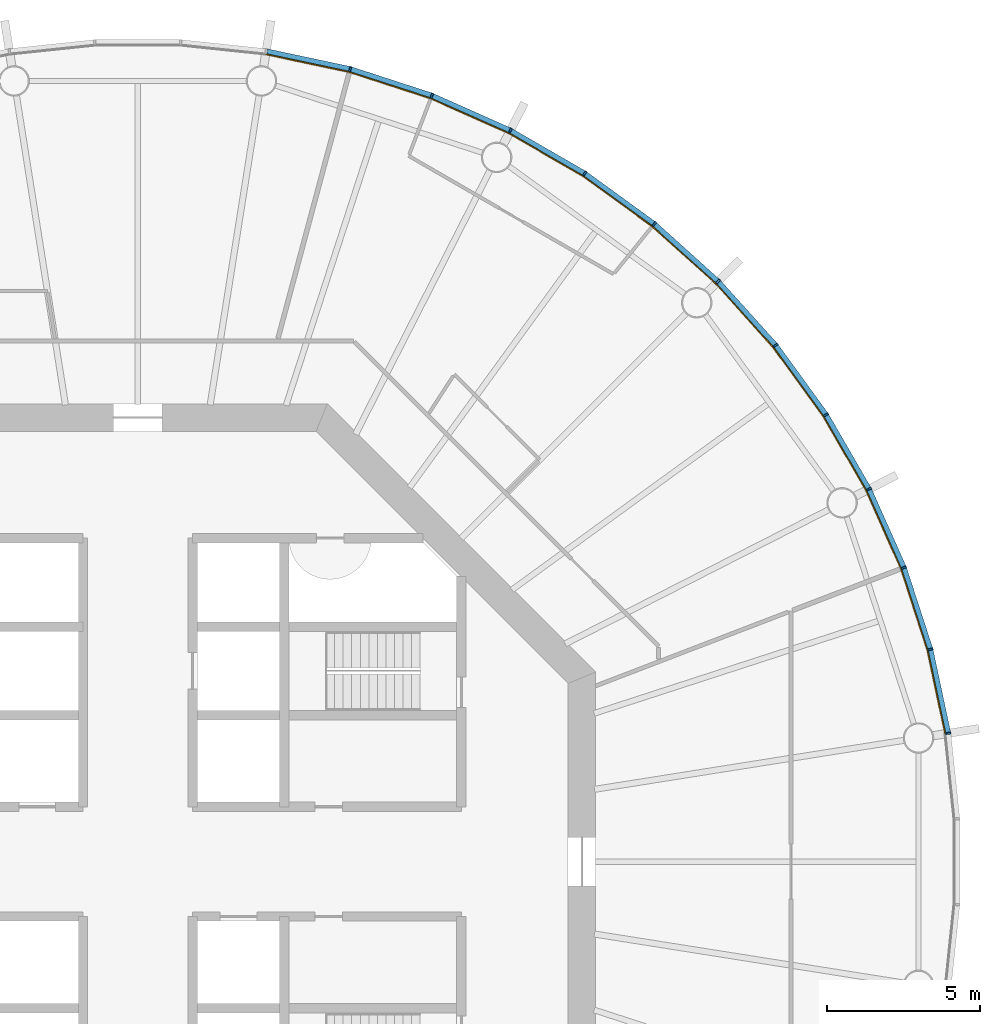
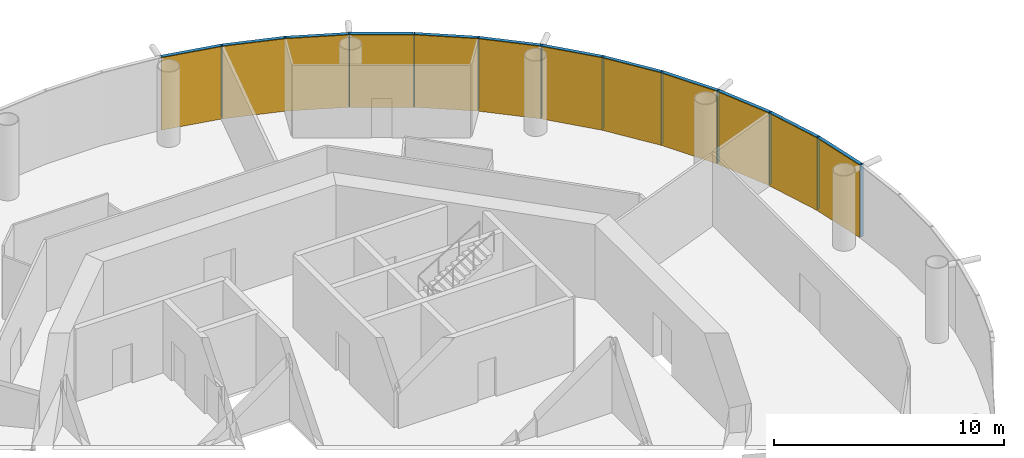
# One storey, part 11 of 12: 24 members, 4 curtain walls.
"""IFC4 building model written with IfcOpenShell, lengths in metres."""

from ifc_helpers import new_model, si_unit, direction, frame, origin, origin_2d, place, context, subcontext, project, spatial, polyline, rectangle, outline, extrude, material, layer, layer_set, material_profile, profile_set, type_object, element, aggregate, save


model = new_model("IFC4")

# Units and contexts
model_context = context("Model", 3, precision=1e-05, world=origin(), true_north=direction((0.0, 1.0)))
body_context = subcontext(model_context, "Body", "Model", "MODEL_VIEW")
ifc_project = project(units=[si_unit("LENGTHUNIT", "METRE"), si_unit("AREAUNIT", "SQUARE_METRE"), si_unit("VOLUMEUNIT", "CUBIC_METRE"), si_unit("PLANEANGLEUNIT", "RADIAN"), si_unit("MASSUNIT", "GRAM", prefix="KILO")], contexts=[model_context])

# Member
ifc_material_1 = material(Name="Anodised aluminium", Category="aluminium")
ifc_material_profile_1 = material_profile(ifc_material_1, rectangle(XDim=0.06005859375, YDim=0.169921875, at=origin_2d()), Name="Mullion 60 x 170 mm anodised aluminium")
ifc_profile_set_1 = profile_set([ifc_material_profile_1], Name="Anodised aluminium")
member_type_1 = type_object("IfcMemberType", Name="Mullion 60 x 170 mm anodised aluminium", PredefinedType="MULLION", material=ifc_profile_set_1)
site_placement = place(None, origin())
building_placement = place(site_placement, origin())
storey_placement = place(building_placement, frame((0.0, 0.0, 214.0)))
member_1_placement = place(storey_placement, frame((116.553955078125, 84.205810546875, 0.0), z_axis=(0.0, 0.0, 1.0), x_axis=(-0.15643446504, 0.987688340595, 0.0)))
member_1 = element("IfcMember", 1, at=member_1_placement, type_object=member_type_1, Name="MULLION L49-00", PredefinedType="MULLION", context=body_context, shape_type="SweptSolid", body=[
    extrude(rectangle(XDim=0.06005859375, YDim=0.169921875, at=origin_2d()), origin(), (0.0, 0.0, 1.0), 3.85009765625),
])

member_2_placement = place(storey_placement, frame((115.968994140625, 86.958251953125, 0.0), z_axis=(0.0, 0.0, 1.0), x_axis=(-0.258819045103, 0.965925826289, 0.0)))
member_2 = element("IfcMember", 2, at=member_2_placement, type_object=member_type_1, Name="MULLION L49-01", PredefinedType="MULLION", context=body_context, shape_type="SweptSolid", body=[
    extrude(rectangle(XDim=0.06005859375, YDim=0.169921875, at=origin_2d()), origin(), (0.0, 0.0, 1.0), 3.85009765625),
])

member_3_placement = place(storey_placement, frame((115.099365234375, 89.634765625, 0.0), z_axis=(0.0, 0.0, 1.0), x_axis=(-0.358367949545, 0.933580426497, 0.0)))
member_3 = element("IfcMember", 3, at=member_3_placement, type_object=member_type_1, Name="MULLION L49-02", PredefinedType="MULLION", context=body_context, shape_type="SweptSolid", body=[
    extrude(rectangle(XDim=0.06005859375, YDim=0.169921875, at=origin_2d()), origin(), (0.0, 0.0, 1.0), 3.85009765625),
])

member_4_placement = place(storey_placement, frame((113.95458984375, 92.20556640625, 0.0), z_axis=(0.0, 0.0, 1.0), x_axis=(-0.45399049974, 0.891006524188, 0.0)))
member_4 = element("IfcMember", 4, at=member_4_placement, type_object=member_type_1, Name="MULLION L49-03", PredefinedType="MULLION", context=body_context, shape_type="SweptSolid", body=[
    extrude(rectangle(XDim=0.06005859375, YDim=0.169921875, at=origin_2d()), origin(), (0.0, 0.0, 1.0), 3.85009765625),
])

member_5_placement = place(storey_placement, frame((112.547607421875, 94.642578125, 0.0), z_axis=(0.0, 0.0, 1.0), x_axis=(-0.544639035015, 0.838670567945, 0.0)))
member_5 = element("IfcMember", 5, at=member_5_placement, type_object=member_type_1, Name="MULLION L49-04", PredefinedType="MULLION", context=body_context, shape_type="SweptSolid", body=[
    extrude(rectangle(XDim=0.06005859375, YDim=0.169921875, at=origin_2d()), origin(), (0.0, 0.0, 1.0), 3.85009765625),
])

member_6_placement = place(storey_placement, frame((110.8935546875, 96.919189453125, 0.0), z_axis=(0.0, 0.0, 1.0), x_axis=(-0.62932039105, 0.777145961457, 0.0)))
member_6 = element("IfcMember", 6, at=member_6_placement, type_object=member_type_1, Name="MULLION L49-05", PredefinedType="MULLION", context=body_context, shape_type="SweptSolid", body=[
    extrude(rectangle(XDim=0.06005859375, YDim=0.169921875, at=origin_2d()), origin(), (0.0, 0.0, 1.0), 3.85009765625),
])

member_7_placement = place(storey_placement, frame((109.010498046875, 99.010498046875, 0.0), z_axis=(0.0, 0.0, 1.0), x_axis=(-0.707106781187, 0.707106781187, 0.0)))
member_7 = element("IfcMember", 7, at=member_7_placement, type_object=member_type_1, Name="MULLION L49-06", PredefinedType="MULLION", context=body_context, shape_type="SweptSolid", body=[
    extrude(rectangle(XDim=0.06005859375, YDim=0.169921875, at=origin_2d()), origin(), (0.0, 0.0, 1.0), 3.85009765625),
])

member_8_placement = place(storey_placement, frame((106.919189453125, 100.8935546875, 0.0), z_axis=(0.0, 0.0, 1.0), x_axis=(-0.777145961457, 0.62932039105, 0.0)))
member_8 = element("IfcMember", 8, at=member_8_placement, type_object=member_type_1, Name="MULLION L49-07", PredefinedType="MULLION", context=body_context, shape_type="SweptSolid", body=[
    extrude(rectangle(XDim=0.06005859375, YDim=0.169921875, at=origin_2d()), origin(), (0.0, 0.0, 1.0), 3.85009765625),
])

member_9_placement = place(storey_placement, frame((104.642578125, 102.547607421875, 0.0), z_axis=(0.0, 0.0, 1.0), x_axis=(-0.838670567945, 0.544639035015, 0.0)))
member_9 = element("IfcMember", 9, at=member_9_placement, type_object=member_type_1, Name="MULLION L49-08", PredefinedType="MULLION", context=body_context, shape_type="SweptSolid", body=[
    extrude(rectangle(XDim=0.06005859375, YDim=0.169921875, at=origin_2d()), origin(), (0.0, 0.0, 1.0), 3.85009765625),
])

member_10_placement = place(storey_placement, frame((102.20556640625, 103.95458984375, 0.0), z_axis=(0.0, 0.0, 1.0), x_axis=(-0.891006524188, 0.45399049974, 0.0)))
member_10 = element("IfcMember", 10, at=member_10_placement, type_object=member_type_1, Name="MULLION L49-09", PredefinedType="MULLION", context=body_context, shape_type="SweptSolid", body=[
    extrude(rectangle(XDim=0.06005859375, YDim=0.169921875, at=origin_2d()), origin(), (0.0, 0.0, 1.0), 3.85009765625),
])

member_11_placement = place(storey_placement, frame((99.634765625, 105.099365234375, 0.0), z_axis=(0.0, 0.0, 1.0), x_axis=(-0.933580426497, 0.358367949545, 0.0)))
member_11 = element("IfcMember", 11, at=member_11_placement, type_object=member_type_1, Name="MULLION L49-10", PredefinedType="MULLION", context=body_context, shape_type="SweptSolid", body=[
    extrude(rectangle(XDim=0.06005859375, YDim=0.169921875, at=origin_2d()), origin(), (0.0, 0.0, 1.0), 3.85009765625),
])

member_12_placement = place(storey_placement, frame((96.958251953125, 105.968994140625, 0.0), z_axis=(0.0, 0.0, 1.0), x_axis=(-0.965925826289, 0.258819045103, 0.0)))
member_12 = element("IfcMember", 12, at=member_12_placement, type_object=member_type_1, Name="MULLION L49-11", PredefinedType="MULLION", context=body_context, shape_type="SweptSolid", body=[
    extrude(rectangle(XDim=0.06005859375, YDim=0.169921875, at=origin_2d()), origin(), (0.0, 0.0, 1.0), 3.85009765625),
])

ifc_material_2 = material(Name="Anodised aluminium", Category="aluminium")
ifc_material_profile_2 = material_profile(ifc_material_2, rectangle(XDim=0.169921875, YDim=0.1650390625, at=origin_2d()), Name="Transom 165 x 170 mm anodised aluminium")
ifc_profile_set_2 = profile_set([ifc_material_profile_2], Name="Anodised aluminium")
member_type_2 = type_object("IfcMemberType", Name="Transom 165 x 170 mm anodised aluminium", PredefinedType="USERDEFINED", material=ifc_profile_set_2)
member_13_placement = place(storey_placement, frame((116.546875, 84.239501953125, 3.767578125), z_axis=(-0.207937468562, 0.97814212115, 0.0), x_axis=(-0.97814212115, -0.207937468562, 0.0)))
member_13 = element("IfcMember", 13, at=member_13_placement, type_object=member_type_2, Name="TRANSOM L49-00", ObjectType="TRANSOM", PredefinedType="USERDEFINED", context=body_context, shape_type="SweptSolid", body=[
    extrude(rectangle(XDim=0.169921875, YDim=0.1650390625, at=origin_2d()), origin(), (0.0, 0.0, 1.0), 2.7451171875),
])

member_14_placement = place(storey_placement, frame((115.95849609375, 86.9912109375, 3.767578125), z_axis=(-0.309041831781, 0.951048445774, 0.0), x_axis=(-0.951048445774, -0.309041831781, 0.0)))
member_14 = element("IfcMember", 14, at=member_14_placement, type_object=member_type_2, Name="TRANSOM L49-01", ObjectType="TRANSOM", PredefinedType="USERDEFINED", context=body_context, shape_type="SweptSolid", body=[
    extrude(rectangle(XDim=0.169921875, YDim=0.1650390625, at=origin_2d()), origin(), (0.0, 0.0, 1.0), 2.7451171875),
])

member_15_placement = place(storey_placement, frame((115.08544921875, 89.666259765625, 3.767578125), z_axis=(-0.406781987391, 0.913525267704, 0.0), x_axis=(-0.913525267704, -0.406781987391, 0.0)))
member_15 = element("IfcMember", 15, at=member_15_placement, type_object=member_type_2, Name="TRANSOM L49-02", ObjectType="TRANSOM", PredefinedType="USERDEFINED", context=body_context, shape_type="SweptSolid", body=[
    extrude(rectangle(XDim=0.169921875, YDim=0.1650390625, at=origin_2d()), origin(), (0.0, 0.0, 1.0), 2.7451171875),
])

member_16_placement = place(storey_placement, frame((113.9375, 92.2353515625, 3.767578125), z_axis=(-0.49998419723, 0.866034527326, 0.0), x_axis=(-0.866034527326, -0.49998419723, 0.0)))
member_16 = element("IfcMember", 16, at=member_16_placement, type_object=member_type_2, Name="TRANSOM L49-03", ObjectType="TRANSOM", PredefinedType="USERDEFINED", context=body_context, shape_type="SweptSolid", body=[
    extrude(rectangle(XDim=0.169921875, YDim=0.1650390625, at=origin_2d()), origin(), (0.0, 0.0, 1.0), 2.7451171875),
])

member_17_placement = place(storey_placement, frame((112.527587890625, 94.670654296875, 3.767578125), z_axis=(-0.587864947412, 0.808959086484, 0.0), x_axis=(-0.808959086484, -0.587864947412, 0.0)))
member_17 = element("IfcMember", 17, at=member_17_placement, type_object=member_type_2, Name="TRANSOM L49-04", ObjectType="TRANSOM", PredefinedType="USERDEFINED", context=body_context, shape_type="SweptSolid", body=[
    extrude(rectangle(XDim=0.169921875, YDim=0.1650390625, at=origin_2d()), origin(), (0.0, 0.0, 1.0), 2.7451171875),
])

member_18_placement = place(storey_placement, frame((110.87060546875, 96.945068359375, 3.767578125), z_axis=(-0.669141598561, 0.743134927907, 0.0), x_axis=(-0.743134927907, -0.669141598561, 0.0)))
member_18 = element("IfcMember", 18, at=member_18_placement, type_object=member_type_2, Name="TRANSOM L49-05", ObjectType="TRANSOM", PredefinedType="USERDEFINED", context=body_context, shape_type="SweptSolid", body=[
    extrude(rectangle(XDim=0.169921875, YDim=0.1650390625, at=origin_2d()), origin(), (0.0, 0.0, 1.0), 2.7451171875),
])

member_19_placement = place(storey_placement, frame((108.985107421875, 99.03369140625, 3.767578125), z_axis=(-0.743134927907, 0.669141598561, 0.0), x_axis=(-0.669141598561, -0.743134927907, 0.0)))
member_19 = element("IfcMember", 19, at=member_19_placement, type_object=member_type_2, Name="TRANSOM L49-06", ObjectType="TRANSOM", PredefinedType="USERDEFINED", context=body_context, shape_type="SweptSolid", body=[
    extrude(rectangle(XDim=0.169921875, YDim=0.1650390625, at=origin_2d()), origin(), (0.0, 0.0, 1.0), 2.7451171875),
])

member_20_placement = place(storey_placement, frame((106.891357421875, 100.913818359375, 3.767578125), z_axis=(-0.808959086484, 0.587864947412, 0.0), x_axis=(-0.587864947412, -0.808959086484, 0.0)))
member_20 = element("IfcMember", 20, at=member_20_placement, type_object=member_type_2, Name="TRANSOM L49-07", ObjectType="TRANSOM", PredefinedType="USERDEFINED", context=body_context, shape_type="SweptSolid", body=[
    extrude(rectangle(XDim=0.169921875, YDim=0.1650390625, at=origin_2d()), origin(), (0.0, 0.0, 1.0), 2.7451171875),
])

member_21_placement = place(storey_placement, frame((104.61279296875, 102.56494140625, 3.767578125), z_axis=(-0.866034527326, 0.49998419723, 0.0), x_axis=(-0.49998419723, -0.866034527326, 0.0)))
member_21 = element("IfcMember", 21, at=member_21_placement, type_object=member_type_2, Name="TRANSOM L49-08", ObjectType="TRANSOM", PredefinedType="USERDEFINED", context=body_context, shape_type="SweptSolid", body=[
    extrude(rectangle(XDim=0.169921875, YDim=0.1650390625, at=origin_2d()), origin(), (0.0, 0.0, 1.0), 2.7451171875),
])

member_22_placement = place(storey_placement, frame((102.174072265625, 103.96875, 3.767578125), z_axis=(-0.913525267704, 0.406781987391, 0.0), x_axis=(-0.406781987391, -0.913525267704, 0.0)))
member_22 = element("IfcMember", 22, at=member_22_placement, type_object=member_type_2, Name="TRANSOM L49-09", ObjectType="TRANSOM", PredefinedType="USERDEFINED", context=body_context, shape_type="SweptSolid", body=[
    extrude(rectangle(XDim=0.169921875, YDim=0.1650390625, at=origin_2d()), origin(), (0.0, 0.0, 1.0), 2.7451171875),
])

member_23_placement = place(storey_placement, frame((99.60205078125, 105.110107421875, 3.767578125), z_axis=(-0.951048445774, 0.309041831781, 0.0), x_axis=(-0.309041831781, -0.951048445774, 0.0)))
member_23 = element("IfcMember", 23, at=member_23_placement, type_object=member_type_2, Name="TRANSOM L49-10", ObjectType="TRANSOM", PredefinedType="USERDEFINED", context=body_context, shape_type="SweptSolid", body=[
    extrude(rectangle(XDim=0.169921875, YDim=0.1650390625, at=origin_2d()), origin(), (0.0, 0.0, 1.0), 2.7451171875),
])

member_24_placement = place(storey_placement, frame((96.924560546875, 105.97607421875, 3.767578125), z_axis=(-0.97814212115, 0.207937468562, 0.0), x_axis=(-0.207937468562, -0.97814212115, 0.0)))
member_24 = element("IfcMember", 24, at=member_24_placement, type_object=member_type_2, Name="TRANSOM L49-11", ObjectType="TRANSOM", PredefinedType="USERDEFINED", context=body_context, shape_type="SweptSolid", body=[
    extrude(rectangle(XDim=0.169921875, YDim=0.1650390625, at=origin_2d()), origin(), (0.0, 0.0, 1.0), 2.7451171875),
])

# Site, building, storey
site = spatial("IfcSite", under=ifc_project, at=site_placement, CompositionType="ELEMENT")
building = spatial("IfcBuilding", under=site, at=building_placement, Name="Entoto Ring Tower", CompositionType="ELEMENT")
storey = spatial("IfcBuildingStorey", under=building, at=storey_placement, Name="L49", CompositionType="ELEMENT", Elevation=214.0)

# Curtain wall
ifc_material_3 = material(Name="Clear low-iron glass", Category="glass")
ifc_layer = layer(ifc_material_3, 0.031982421875)
ifc_layer_set = layer_set([ifc_layer], Name="Clear low-iron glass")
curtain_wall_type = type_object("IfcCurtainWallType", Name="Curtain wall system CW4 glazing 32 mm", PredefinedType="NOTDEFINED", material=ifc_layer_set)
curtain_wall_1_placement = place(storey_placement, origin())
curtain_wall_1 = element("IfcCurtainWall", 25, at=curtain_wall_1_placement, inside=storey, type_object=curtain_wall_type, Name="CW4 L49-01", PredefinedType="NOTDEFINED", context=body_context, shape_type="SweptSolid", body=[
    extrude(outline(polyline([(116.469970703125, 84.1923828125), (115.88671875, 86.936279296875), (115.02001953125, 89.604248046875), (113.87890625, 92.1669921875), (113.850341796875, 92.15234375), (114.989990234375, 89.5927734375), (115.85595703125, 86.927978515625), (116.4384765625, 84.1875), (116.469970703125, 84.1923828125)])), origin(), (0.0, 0.0, 1.0), 3.85009765625),
])

aggregate(curtain_wall_1, [member_1, member_2, member_3, member_13, member_14, member_15])

curtain_wall_2_placement = place(storey_placement, origin())
curtain_wall_2 = element("IfcCurtainWall", 26, at=curtain_wall_2_placement, inside=storey, type_object=curtain_wall_type, Name="CW4 L49-02", PredefinedType="NOTDEFINED", context=body_context, shape_type="SweptSolid", body=[
    extrude(outline(polyline([(113.87890625, 92.1669921875), (112.476318359375, 94.596435546875), (110.827392578125, 96.86572265625), (108.950439453125, 98.950439453125), (108.927734375, 98.927734375), (110.802490234375, 96.845703125), (112.449462890625, 94.578857421875), (113.850341796875, 92.15234375), (113.87890625, 92.1669921875)])), origin(), (0.0, 0.0, 1.0), 3.85009765625),
])

aggregate(curtain_wall_2, [member_4, member_5, member_6, member_16, member_17, member_18])

curtain_wall_3_placement = place(storey_placement, origin())
curtain_wall_3 = element("IfcCurtainWall", 27, at=curtain_wall_3_placement, inside=storey, type_object=curtain_wall_type, Name="CW4 L49-03", PredefinedType="NOTDEFINED", context=body_context, shape_type="SweptSolid", body=[
    extrude(outline(polyline([(108.950439453125, 98.950439453125), (106.86572265625, 100.827392578125), (104.596435546875, 102.476318359375), (102.1669921875, 103.87890625), (102.15234375, 103.850341796875), (104.578857421875, 102.449462890625), (106.845703125, 100.802490234375), (108.927734375, 98.927734375), (108.950439453125, 98.950439453125)])), origin(), (0.0, 0.0, 1.0), 3.85009765625),
])

aggregate(curtain_wall_3, [member_7, member_8, member_9, member_19, member_20, member_21])

curtain_wall_4_placement = place(storey_placement, origin())
curtain_wall_4 = element("IfcCurtainWall", 28, at=curtain_wall_4_placement, inside=storey, type_object=curtain_wall_type, Name="CW4 L49-04", PredefinedType="NOTDEFINED", context=body_context, shape_type="SweptSolid", body=[
    extrude(outline(polyline([(102.1669921875, 103.87890625), (99.604248046875, 105.02001953125), (96.936279296875, 105.88671875), (94.1923828125, 106.469970703125), (94.1875, 106.4384765625), (96.927978515625, 105.85595703125), (99.5927734375, 104.989990234375), (102.15234375, 103.850341796875), (102.1669921875, 103.87890625)])), origin(), (0.0, 0.0, 1.0), 3.85009765625),
])

aggregate(curtain_wall_4, [member_10, member_11, member_12, member_22, member_23, member_24])

save(model, "model.ifc")
